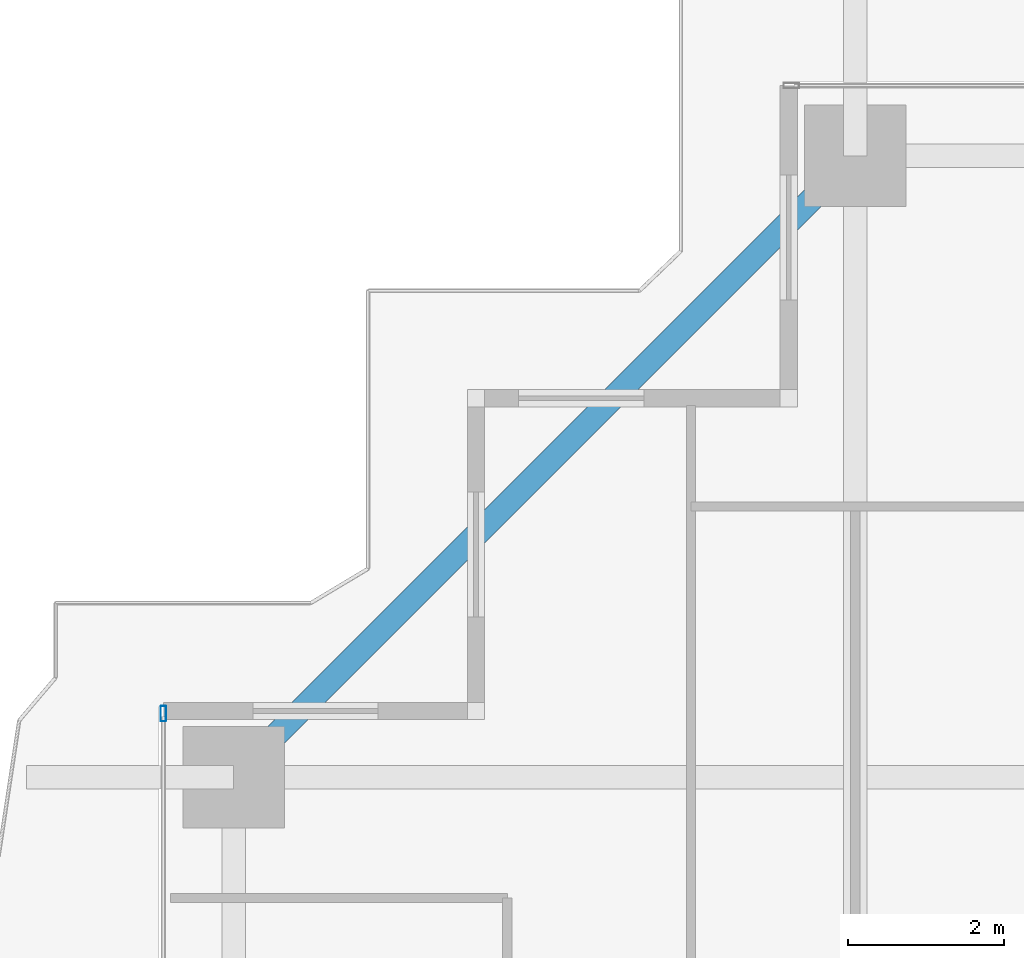
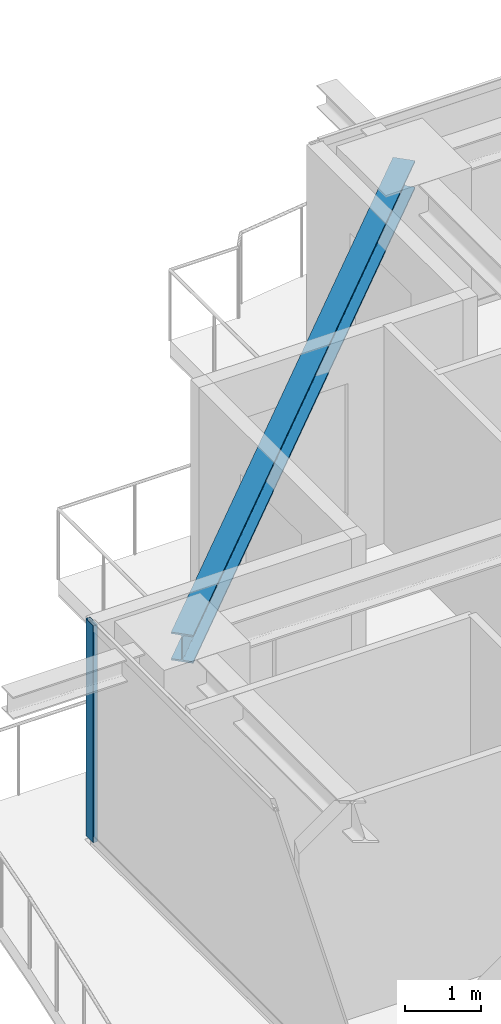
# One storey, part 19 of 37: 1 beam, 1 member, 1 element without a shape of its own.
"""IFC4 building model written with IfcOpenShell, lengths in metres."""

from ifc_helpers import new_model, si_unit, direction, frame, origin, origin_2d, place, context, subcontext, project, spatial, hollow_rectangle, i_section, extrude, source, transform, mapped, material, layer, layer_set, material_profile, profile_set, type_object, element, aggregate, save


model = new_model("IFC4")

# Units and contexts
model_context = context("Model", 3, precision=1e-05, world=origin(), true_north=direction((0.0, 1.0)))
body_context = subcontext(model_context, "Body", "Model", "MODEL_VIEW")
ifc_project = project(units=[si_unit("LENGTHUNIT", "METRE"), si_unit("AREAUNIT", "SQUARE_METRE"), si_unit("VOLUMEUNIT", "CUBIC_METRE"), si_unit("PLANEANGLEUNIT", "RADIAN"), si_unit("MASSUNIT", "GRAM", prefix="KILO")], contexts=[model_context])

# Site, building, storey
site_placement = place(None, origin())
site = spatial("IfcSite", under=ifc_project, at=site_placement, CompositionType="ELEMENT")
building_placement = place(site_placement, origin())
building = spatial("IfcBuilding", under=site, at=building_placement, Name="Serunith Strait Residences", CompositionType="ELEMENT")
storey_placement = place(building_placement, frame((0.0, 0.0, 153.89990234375)))
storey = spatial("IfcBuildingStorey", under=building, at=storey_placement, Name="L38", CompositionType="ELEMENT", Elevation=153.89990234375)

# Beam
ifc_material_1 = material(Name="Steel S355J2", Category="steel")
ifc_material_profile_1 = material_profile(ifc_material_1, i_section(OverallWidth=0.300048828125, OverallDepth=0.449951171875, WebThickness=0.013916015625, FlangeThickness=0.02587890625, FilletRadius=0.027099609375, at=origin_2d()), Name="HEB 450")
ifc_profile_set_1 = profile_set([ifc_material_profile_1], Name="Steel S355J2")
beam_type = type_object("IfcBeamType", Name="BM-HEB450", PredefinedType="BEAM", material=ifc_profile_set_1)
shared_shape_1 = source(origin(), body_context, "Body", "SweptSolid", [
    extrude(i_section(OverallWidth=0.300048828125, OverallDepth=0.449951171875, WebThickness=0.013916015625, FlangeThickness=0.02587890625, FilletRadius=0.027099609375, at=origin_2d()), origin(), (0.0, 0.0, 1.0), 11.2431640625),
])
beam_placement = place(storey_placement, frame((16.64990234375, 48.10009765625, 3.232177734375), z_axis=(-0.707095923751, -0.707117638455, 0.0), x_axis=(0.707117638455, -0.707095923751, 0.0)))
element("IfcBeam", 1, at=beam_placement, inside=storey, type_object=beam_type, Name="L38 Perimeter Ring Beam 12", PredefinedType="BEAM", context=body_context, shape_type="MappedRepresentation", body=[
    mapped(shared_shape_1, transform((0.0, 0.0, 0.0), scale=1.0)),
])

# Curtain wall, member
ifc_material_2 = material(Name="Pale-Champagne Anodised Aluminium", Category="aluminium")
ifc_layer = layer(ifc_material_2, 0.199951171875, Name="Pale-Champagne Anodised Aluminium")
ifc_layer_set = layer_set([ifc_layer], Name="Pale-Champagne Anodised Aluminium")
curtain_wall_type = type_object("IfcCurtainWallType", Name="CW-SYS2", PredefinedType="NOTDEFINED", material=ifc_layer_set)
curtain_wall_placement = place(storey_placement, origin())
curtain_wall = element("IfcCurtainWall", 2, at=curtain_wall_placement, inside=storey, type_object=curtain_wall_type, Name="L38 W Unitised Fritted Curtain Wall", PredefinedType="NOTDEFINED")
ifc_material_profile_2 = material_profile(ifc_material_2, hollow_rectangle(XDim=0.070068359375, YDim=0.199951171875, WallThickness=0.00390625, InnerFilletRadius=0.006103515625, OuterFilletRadius=0.010009765625, at=origin_2d()), Name="ALU 200x70x4")
ifc_profile_set_2 = profile_set([ifc_material_profile_2], Name="Pale-Champagne Anodised Aluminium")
member_type = type_object("IfcMemberType", Name="CW-SYS2-MULL", PredefinedType="MULLION", material=ifc_profile_set_2)
shared_shape_2 = source(origin(), body_context, "Body", "SweptSolid", [
    extrude(hollow_rectangle(XDim=0.070068359375, YDim=0.199951171875, WallThickness=0.00390625, InnerFilletRadius=0.006103515625, OuterFilletRadius=0.010009765625, at=origin_2d()), origin(), (0.0, 0.0, 1.0), 3.47509765625),
])
member_placement = place(storey_placement, frame((7.800048828125, 40.965087890625, 0.0), z_axis=(0.0, 0.0, 1.0), x_axis=(1.0, 0.0, 0.0)))
member = element("IfcMember", 3, at=member_placement, type_object=member_type, Name="CW-2 mullion 1", PredefinedType="MULLION", context=body_context, shape_type="MappedRepresentation", body=[
    mapped(shared_shape_2, transform((0.0, 0.0, 0.0), scale=1.0)),
])
aggregate(curtain_wall, [member])

save(model, "model.ifc")
